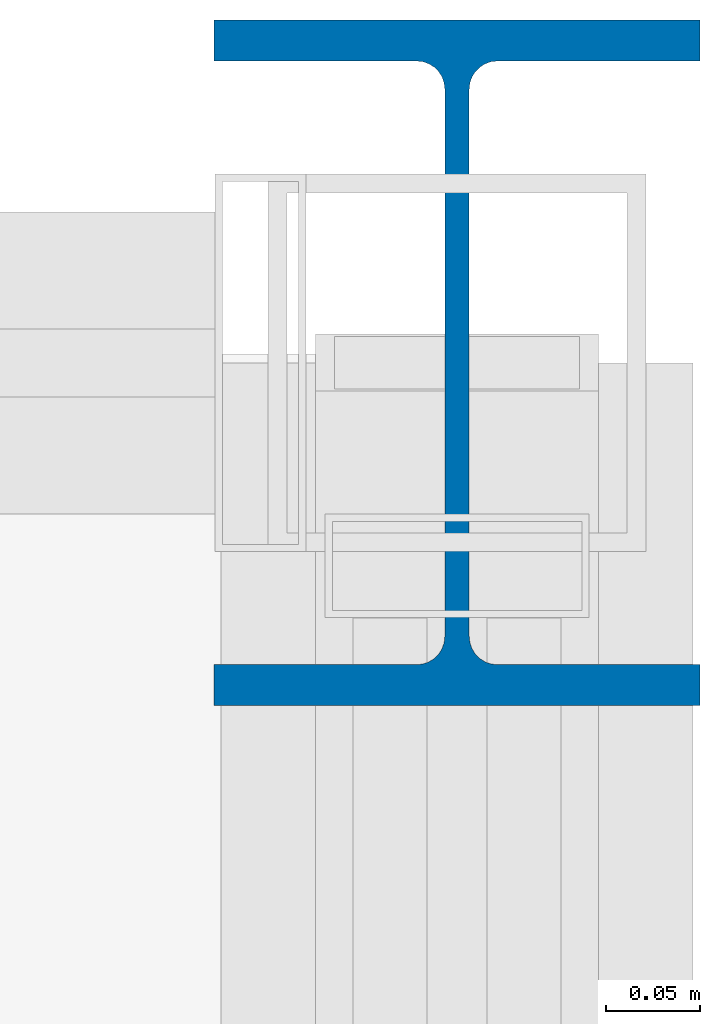
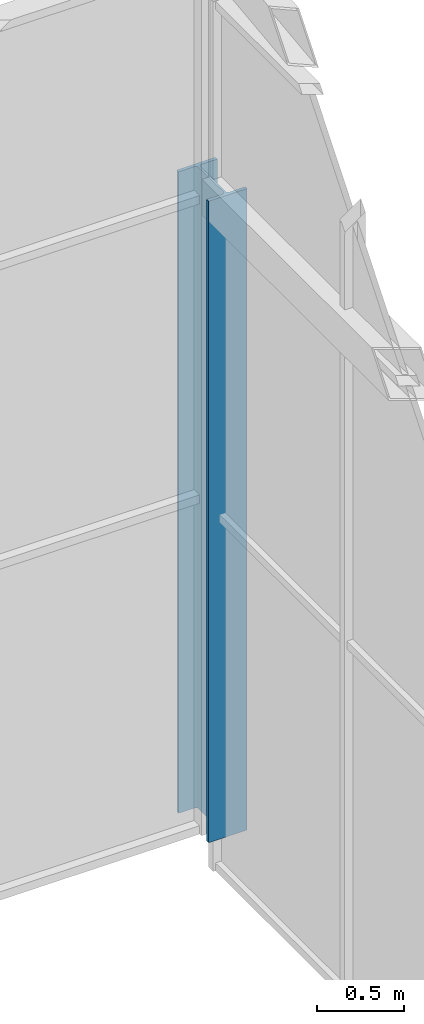
# One storey, part 9 of 104: 1 column.
"""IFC4 building model written with IfcOpenShell, lengths in metres."""

from ifc_helpers import new_model, si_unit, direction, frame, origin, origin_2d, place, context, subcontext, project, spatial, i_section, extrude, material, material_profile, profile_set, type_object, element, save


model = new_model("IFC4")

# Units and contexts
model_context = context("Model", 3, precision=1e-05, world=origin(), true_north=direction((0.0, 1.0)))
body_context = subcontext(model_context, "Body", "Model", "MODEL_VIEW")
ifc_project = project(units=[si_unit("LENGTHUNIT", "METRE"), si_unit("AREAUNIT", "SQUARE_METRE"), si_unit("VOLUMEUNIT", "CUBIC_METRE"), si_unit("PLANEANGLEUNIT", "RADIAN"), si_unit("MASSUNIT", "GRAM", prefix="KILO")], contexts=[model_context])

# Site, building, storey
site_placement = place(None, origin())
site = spatial("IfcSite", under=ifc_project, at=site_placement, CompositionType="ELEMENT")
building_placement = place(site_placement, origin())
building = spatial("IfcBuilding", under=site, at=building_placement, Name="Solvenia Promenade Tram Depot", CompositionType="ELEMENT")
storey_placement = place(building_placement, frame((0.0, 0.0, 9.0)))
storey = spatial("IfcBuildingStorey", under=building, at=storey_placement, Name="L02", CompositionType="ELEMENT", Elevation=9.0)

# Column
ifc_material = material(Name="Structural steel ASTM A992 Gr. 50", Category="steel")
ifc_material_profile = material_profile(ifc_material, i_section(OverallWidth=0.257080078125, OverallDepth=0.363037109375, WebThickness=0.012939453125, FlangeThickness=0.021728515625, FilletRadius=0.014892578125, at=origin_2d()), Name="W360x122", Category="steel")
ifc_profile_set = profile_set([ifc_material_profile], Name="Structural steel ASTM A992 Gr. 50")
column_type = type_object("IfcColumnType", Name="Col-W360x122", PredefinedType="COLUMN", material=ifc_profile_set)
column_placement = place(storey_placement, frame((186.0, 66.0, 0.0), z_axis=(0.0, 0.0, 1.0), x_axis=(1.0, 0.0, 0.0)))
element("IfcColumn", 1, at=column_placement, inside=storey, type_object=column_type, Name="Steel Column COL-L02-371", PredefinedType="COLUMN", context=body_context, shape_type="SweptSolid", body=[
    extrude(i_section(OverallWidth=0.257080078125, OverallDepth=0.363037109375, WebThickness=0.012939453125, FlangeThickness=0.021728515625, FilletRadius=0.014892578125, at=origin_2d()), origin(), (0.0, 0.0, 1.0), 4.5),
])

save(model, "model.ifc")
